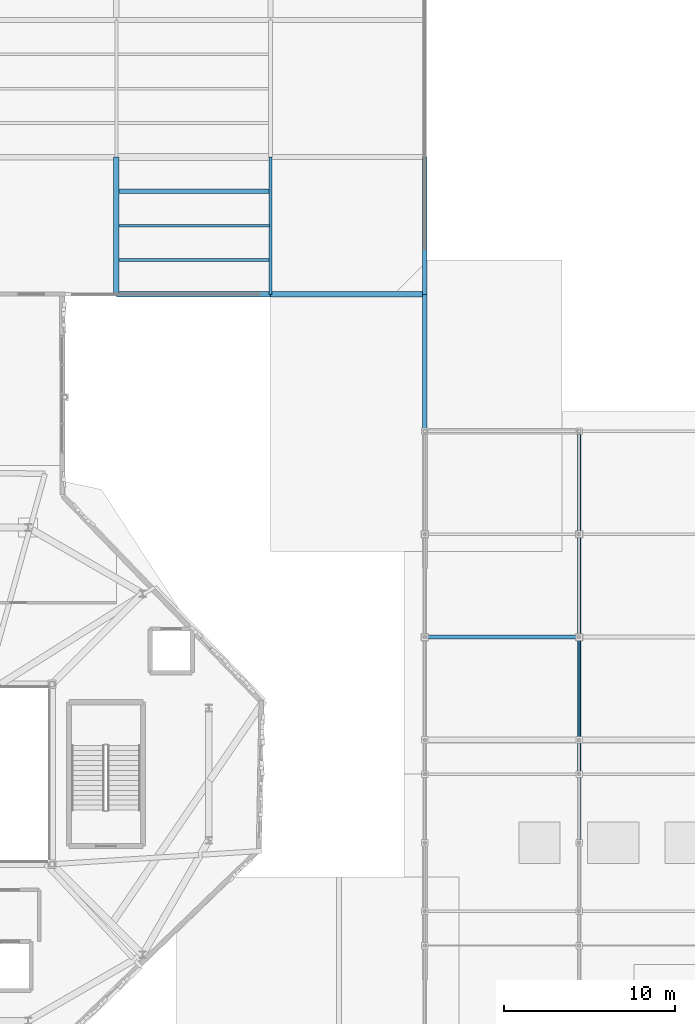
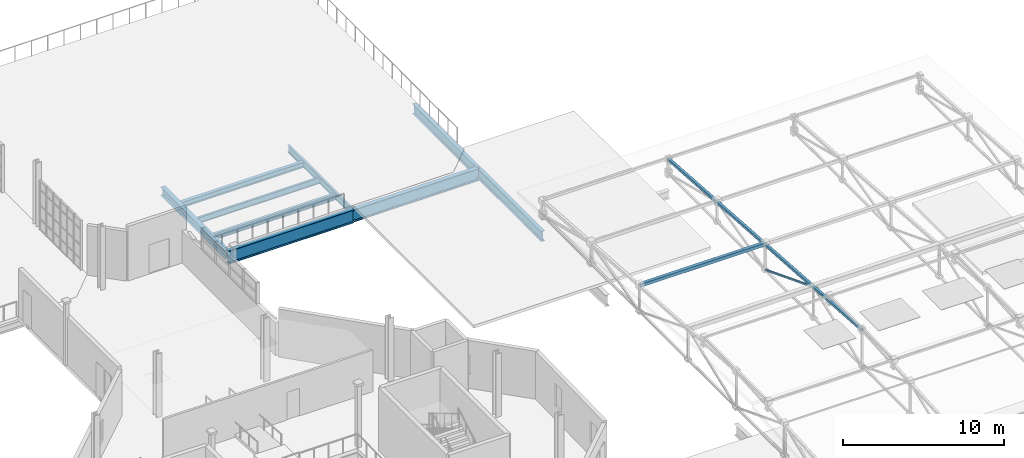
# One storey, part 39 of 85: 10 beams, 2 members.
"""IFC4 building model written with IfcOpenShell, lengths in metres."""

from ifc_helpers import new_model, si_unit, direction, frame, origin, origin_2d, place, context, subcontext, project, spatial, hollow_rectangle, i_section, extrude, material, material_profile, profile_set, type_object, element, save


model = new_model("IFC4")

# Units and contexts
model_context = context("Model", 3, precision=1e-05, world=origin(), true_north=direction((0.0, 1.0)))
body_context = subcontext(model_context, "Body", "Model", "MODEL_VIEW")
ifc_project = project(units=[si_unit("LENGTHUNIT", "METRE"), si_unit("AREAUNIT", "SQUARE_METRE"), si_unit("VOLUMEUNIT", "CUBIC_METRE"), si_unit("PLANEANGLEUNIT", "RADIAN"), si_unit("MASSUNIT", "GRAM", prefix="KILO"), si_unit("THERMODYNAMICTEMPERATUREUNIT", "KELVIN"), si_unit("POWERUNIT", "WATT")], contexts=[model_context])

# Site, building, storey
site_placement = place(None, origin())
site = spatial("IfcSite", under=ifc_project, at=site_placement, CompositionType="ELEMENT")
building_placement = place(site_placement, origin())
building = spatial("IfcBuilding", under=site, at=building_placement, Name="Zelmaris Science Centre", CompositionType="ELEMENT")
storey_placement = place(building_placement, frame((0.0, 0.0, 20.39990234375)))
storey = spatial("IfcBuildingStorey", under=building, at=storey_placement, Name="L04", CompositionType="ELEMENT", Elevation=20.39990234375)

# Beams
ifc_material_1 = material(Name="Steel ASTM A992 Grade 50", Category="steel")
ifc_material_profile_1 = material_profile(ifc_material_1, i_section(OverallWidth=0.26708984375, OverallDepth=0.77001953125, WebThickness=0.015625, FlangeThickness=0.025390625, FilletRadius=0.01904296875, at=origin_2d()), Name="W30X132")
ifc_profile_set_1 = profile_set([ifc_material_profile_1], Name="Steel ASTM A992 Grade 50")
beam_type_1 = type_object("IfcBeamType", Name="Beam G-09 W30X132", PredefinedType="BEAM", material=ifc_profile_set_1)
beam_1_placement = place(storey_placement, frame((108.0, 56.0, -0.635009765625), z_axis=(0.0, 1.0, 0.0), x_axis=(-1.0, 0.0, 0.0)))
element("IfcBeam", 1, at=beam_1_placement, inside=storey, type_object=beam_type_1, Name="L04 North-south girder 841", PredefinedType="BEAM", context=body_context, shape_type="SweptSolid", body=[
    extrude(i_section(OverallWidth=0.26708984375, OverallDepth=0.77001953125, WebThickness=0.015625, FlangeThickness=0.025390625, FilletRadius=0.01904296875, at=origin_2d()), origin(), (0.0, 0.0, 1.0), 8.0),
])
ifc_material_profile_2 = material_profile(ifc_material_1, i_section(OverallWidth=0.26708984375, OverallDepth=0.757080078125, WebThickness=0.013916015625, FlangeThickness=0.019287109375, FilletRadius=0.01904296875, at=origin_2d()), Name="W30X108")
ifc_profile_set_2 = profile_set([ifc_material_profile_2], Name="Steel ASTM A992 Grade 50")
beam_type_2 = type_object("IfcBeamType", Name="Beam G-10 W30X108", PredefinedType="BEAM", material=ifc_profile_set_2)
beam_2_placement = place(storey_placement, frame((108.0, 64.0, -0.62841796875), z_axis=(0.0, 1.0, 0.0), x_axis=(-1.0, 0.0, 0.0)))
element("IfcBeam", 2, at=beam_2_placement, inside=storey, type_object=beam_type_2, Name="L04 North-south girder 842", PredefinedType="BEAM", context=body_context, shape_type="SweptSolid", body=[
    extrude(i_section(OverallWidth=0.26708984375, OverallDepth=0.757080078125, WebThickness=0.013916015625, FlangeThickness=0.019287109375, FilletRadius=0.01904296875, at=origin_2d()), origin(), (0.0, 0.0, 1.0), 8.0),
])
ifc_material_2 = material(Name="Steel ASTM A500 Grade C", Category="steel")
ifc_material_profile_3 = material_profile(ifc_material_2, hollow_rectangle(XDim=0.203125, YDim=0.203125, WallThickness=0.01171875, InnerFilletRadius=0.01171875, OuterFilletRadius=0.023681640625, at=origin_2d()), Name="HSS203X203X13")
ifc_profile_set_3 = profile_set([ifc_material_profile_3], Name="Steel ASTM A500 Grade C")
beam_type_3 = type_object("IfcBeamType", Name="Beam G-20 HSS203X203X13", PredefinedType="BEAM", material=ifc_profile_set_3)
beam_3_placement = place(storey_placement, frame((117.0, 32.0, 3.697998046875), z_axis=(0.0, 0.997644646858, -0.068594158611), x_axis=(-1.0, 0.0, 0.0)))
element("IfcBeam", 3, at=beam_3_placement, inside=storey, type_object=beam_type_3, Name="RF-V4 Roof truss 2 north top chord", PredefinedType="BEAM", context=body_context, shape_type="SweptSolid", body=[
    extrude(hollow_rectangle(XDim=0.203125, YDim=0.203125, WallThickness=0.01171875, InnerFilletRadius=0.01171875, OuterFilletRadius=0.023681640625, at=origin_2d()), origin(), (0.0, 0.0, 1.0), 24.056640625),
])
ifc_material_profile_4 = material_profile(ifc_material_1, i_section(OverallWidth=0.300048828125, OverallDepth=0.990966796875, WebThickness=0.0166015625, FlangeThickness=0.030517578125, FilletRadius=0.02490234375, at=origin_2d()), Name="W40X183")
ifc_profile_set_4 = profile_set([ifc_material_profile_4], Name="Steel ASTM A992 Grade 50")
beam_type_4 = type_object("IfcBeamType", Name="Beam G-24 W40X183", PredefinedType="BEAM", material=ifc_profile_set_4)
beam_4_placement = place(storey_placement, frame((90.0, 64.0, -0.745361328125), z_axis=(1.0, 0.0, 0.0), x_axis=(0.0, 1.0, 0.0)))
element("IfcBeam", 4, at=beam_4_placement, inside=storey, type_object=beam_type_4, Name="L04 East-west girder 850", PredefinedType="BEAM", context=body_context, shape_type="SweptSolid", body=[
    extrude(i_section(OverallWidth=0.300048828125, OverallDepth=0.990966796875, WebThickness=0.0166015625, FlangeThickness=0.030517578125, FilletRadius=0.02490234375, at=origin_2d()), origin(), (0.0, 0.0, 1.0), 9.0),
])
ifc_material_profile_5 = material_profile(ifc_material_1, i_section(OverallWidth=0.31005859375, OverallDepth=0.931884765625, WebThickness=0.02099609375, FlangeThickness=0.034423828125, FilletRadius=0.02392578125, at=origin_2d()), Name="W36X210")
ifc_profile_set_5 = profile_set([ifc_material_profile_5], Name="Steel ASTM A992 Grade 50")
beam_type_5 = type_object("IfcBeamType", Name="Beam G-25 W36X210", PredefinedType="BEAM", material=ifc_profile_set_5)
beam_5_placement = place(storey_placement, frame((99.0, 64.0, -0.7158203125), z_axis=(1.0, 0.0, 0.0), x_axis=(0.0, 1.0, 0.0)))
element("IfcBeam", 5, at=beam_5_placement, inside=storey, type_object=beam_type_5, Name="L04 East-west girder 851", PredefinedType="BEAM", context=body_context, shape_type="SweptSolid", body=[
    extrude(i_section(OverallWidth=0.31005859375, OverallDepth=0.931884765625, WebThickness=0.02099609375, FlangeThickness=0.034423828125, FilletRadius=0.02392578125, at=origin_2d()), origin(), (0.0, 0.0, 1.0), 9.0),
])
ifc_material_profile_6 = material_profile(ifc_material_1, i_section(OverallWidth=0.327880859375, OverallDepth=0.626953125, WebThickness=0.0166015625, FlangeThickness=0.027587890625, FilletRadius=0.014892578125, at=origin_2d()), Name="W24X146")
ifc_profile_set_6 = profile_set([ifc_material_profile_6], Name="Steel ASTM A992 Grade 50")
beam_type_6 = type_object("IfcBeamType", Name="Beam G-37 W24X146", PredefinedType="BEAM", material=ifc_profile_set_6)
beam_6_placement = place(storey_placement, frame((90.0, 64.0, -0.5634765625), z_axis=(0.0, 1.0, 0.0), x_axis=(-1.0, 0.0, 0.0)))
element("IfcBeam", 6, at=beam_6_placement, inside=storey, type_object=beam_type_6, Name="L04 North-south girder 832", PredefinedType="BEAM", context=body_context, shape_type="SweptSolid", body=[
    extrude(i_section(OverallWidth=0.327880859375, OverallDepth=0.626953125, WebThickness=0.0166015625, FlangeThickness=0.027587890625, FilletRadius=0.014892578125, at=origin_2d()), origin(), (0.0, 0.0, 1.0), 8.0),
])
ifc_material_profile_7 = material_profile(ifc_material_1, i_section(OverallWidth=0.1650390625, OverallDepth=0.52587890625, WebThickness=0.0087890625, FlangeThickness=0.011474609375, FilletRadius=0.013916015625, at=origin_2d()), Name="W21X44")
ifc_profile_set_7 = profile_set([ifc_material_profile_7], Name="Steel ASTM A992 Grade 50")
beam_type_7 = type_object("IfcBeamType", Name="Beam G-40 W21X44", PredefinedType="BEAM", material=ifc_profile_set_7)
beam_7_placement = place(storey_placement, frame((99.0, 64.0, -0.512939453125), z_axis=(0.0, 1.0, 0.0), x_axis=(-1.0, 0.0, 0.0)))
element("IfcBeam", 7, at=beam_7_placement, inside=storey, type_object=beam_type_7, Name="L04 North-south girder 835", PredefinedType="BEAM", context=body_context, shape_type="SweptSolid", body=[
    extrude(i_section(OverallWidth=0.1650390625, OverallDepth=0.52587890625, WebThickness=0.0087890625, FlangeThickness=0.011474609375, FilletRadius=0.013916015625, at=origin_2d()), origin(), (0.0, 0.0, 1.0), 8.0),
])
ifc_material_profile_8 = material_profile(ifc_material_1, i_section(OverallWidth=0.19091796875, OverallDepth=0.4599609375, WebThickness=0.010009765625, FlangeThickness=0.01611328125, FilletRadius=0.012939453125, at=origin_2d()), Name="W18X55")
ifc_profile_set_8 = profile_set([ifc_material_profile_8], Name="Steel ASTM A992 Grade 50")
beam_type_8 = type_object("IfcBeamType", Name="Beam J-04 W18X55", PredefinedType="JOIST", material=ifc_profile_set_8)
beam_8_placement = place(storey_placement, frame((90.14892578125, 66.0, -0.47998046875), z_axis=(1.0, 0.0, 0.0), x_axis=(0.0, 1.0, 0.0)))
element("IfcBeam", 8, at=beam_8_placement, inside=storey, type_object=beam_type_8, Name="L04 Composite floor joist 408", PredefinedType="JOIST", context=body_context, shape_type="SweptSolid", body=[
    extrude(i_section(OverallWidth=0.19091796875, OverallDepth=0.4599609375, WebThickness=0.010009765625, FlangeThickness=0.01611328125, FilletRadius=0.012939453125, at=origin_2d()), origin(), (0.0, 0.0, 1.0), 8.78369140625),
])
ifc_material_profile_9 = material_profile(ifc_material_1, i_section(OverallWidth=0.152099609375, OverallDepth=0.455078125, WebThickness=0.008056640625, FlangeThickness=0.01318359375, FilletRadius=0.012939453125, at=origin_2d()), Name="W18X40")
ifc_profile_set_9 = profile_set([ifc_material_profile_9], Name="Steel ASTM A992 Grade 50")
beam_type_9 = type_object("IfcBeamType", Name="Beam J-05 W18X40", PredefinedType="JOIST", material=ifc_profile_set_9)
beam_9_placement = place(storey_placement, frame((90.14892578125, 68.0, -0.477294921875), z_axis=(1.0, 0.0, 0.0), x_axis=(0.0, 1.0, 0.0)))
element("IfcBeam", 9, at=beam_9_placement, inside=storey, type_object=beam_type_9, Name="L04 Composite floor joist 409", PredefinedType="JOIST", context=body_context, shape_type="SweptSolid", body=[
    extrude(i_section(OverallWidth=0.152099609375, OverallDepth=0.455078125, WebThickness=0.008056640625, FlangeThickness=0.01318359375, FilletRadius=0.012939453125, at=origin_2d()), origin(), (0.0, 0.0, 1.0), 8.78369140625),
])
ifc_material_profile_10 = material_profile(ifc_material_1, i_section(OverallWidth=0.260009765625, OverallDepth=0.4140625, WebThickness=0.010009765625, FlangeThickness=0.016845703125, FilletRadius=0.011962890625, at=origin_2d()), Name="W16X67")
ifc_profile_set_10 = profile_set([ifc_material_profile_10], Name="Steel ASTM A992 Grade 50")
beam_type_10 = type_object("IfcBeamType", Name="Beam J-06 W16X67", PredefinedType="JOIST", material=ifc_profile_set_10)
beam_10_placement = place(storey_placement, frame((90.14892578125, 70.0, -0.456787109375), z_axis=(1.0, 0.0, 0.0), x_axis=(0.0, 1.0, 0.0)))
element("IfcBeam", 10, at=beam_10_placement, inside=storey, type_object=beam_type_10, Name="L04 Composite floor joist 410", PredefinedType="JOIST", context=body_context, shape_type="SweptSolid", body=[
    extrude(i_section(OverallWidth=0.260009765625, OverallDepth=0.4140625, WebThickness=0.010009765625, FlangeThickness=0.016845703125, FilletRadius=0.011962890625, at=origin_2d()), origin(), (0.0, 0.0, 1.0), 8.78369140625),
])

# Members
ifc_material_profile_11 = material_profile(ifc_material_2, hollow_rectangle(XDim=0.25390625, YDim=0.25390625, WallThickness=0.01171875, InnerFilletRadius=0.01171875, OuterFilletRadius=0.023681640625, at=origin_2d()), Name="HSS254X254X13")
ifc_profile_set_11 = profile_set([ifc_material_profile_11], Name="Steel ASTM A500 Grade C")
member_type_1 = type_object("IfcMemberType", Name="Roof Purlin PR-09 HSS254X254X13", PredefinedType="PURLIN", material=ifc_profile_set_11)
member_1_placement = place(storey_placement, frame((108.0, 44.0, 2.9423828125), z_axis=(1.0, 0.0, 0.0), x_axis=(0.0, 1.0, 0.0)))
element("IfcMember", 11, at=member_1_placement, inside=storey, type_object=member_type_1, Name="RF-V4 Roof purlin 6", PredefinedType="PURLIN", context=body_context, shape_type="SweptSolid", body=[
    extrude(hollow_rectangle(XDim=0.25390625, YDim=0.25390625, WallThickness=0.01171875, InnerFilletRadius=0.01171875, OuterFilletRadius=0.023681640625, at=origin_2d()), origin(), (0.0, 0.0, 1.0), 9.0),
])
ifc_material_profile_12 = material_profile(ifc_material_2, hollow_rectangle(XDim=0.126953125, YDim=0.126953125, WallThickness=0.00732421875, InnerFilletRadius=0.00732421875, OuterFilletRadius=0.014892578125, at=origin_2d()), Name="HSS127X127X8")
ifc_profile_set_12 = profile_set([ifc_material_profile_12], Name="Steel ASTM A500 Grade C")
member_type_2 = type_object("IfcMemberType", Name="Structural Brace BR-04 HSS127X127X8", PredefinedType="BRACE", material=ifc_profile_set_12)
member_2_placement = place(storey_placement, frame((117.0, 38.0, 3.285400390625), z_axis=(0.0, 0.93179104927, -0.362995097075), x_axis=(-1.0, 0.0, 0.0)))
element("IfcMember", 12, at=member_2_placement, inside=storey, type_object=member_type_2, Name="RF-V4 Roof truss 2 web diagonal 6", PredefinedType="BRACE", context=body_context, shape_type="SweptSolid", body=[
    extrude(hollow_rectangle(XDim=0.126953125, YDim=0.126953125, WallThickness=0.00732421875, InnerFilletRadius=0.00732421875, OuterFilletRadius=0.014892578125, at=origin_2d()), origin(), (0.0, 0.0, 1.0), 6.439208984375),
])

save(model, "model.ifc")
